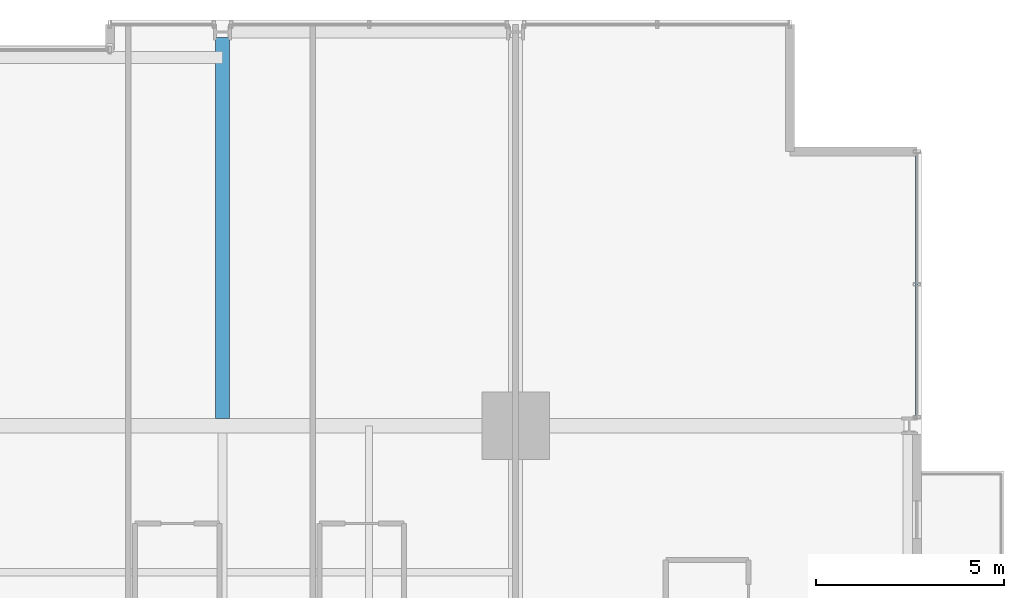
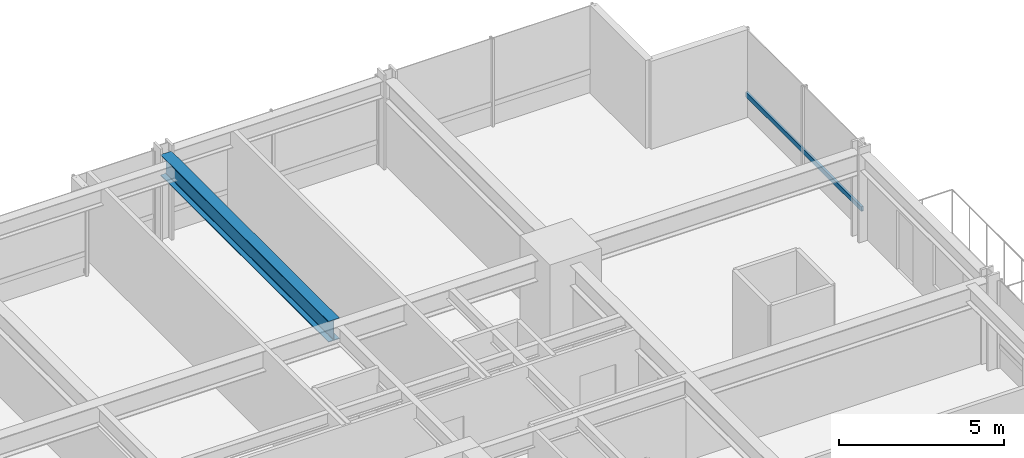
# One storey, part 26 of 38: 1 beam, 1 member, 1 element without a shape of its own.
"""IFC4 building model written with IfcOpenShell, lengths in metres."""

from ifc_helpers import new_model, si_unit, direction, frame, origin, origin_2d, place, context, subcontext, project, spatial, hollow_rectangle, i_section, extrude, material, layer, layer_set, material_profile, profile_set, type_object, element, aggregate, save


model = new_model("IFC4")

# Units and contexts
model_context = context("Model", 3, precision=1e-05, world=origin(), true_north=direction((0.0, 1.0)))
body_context = subcontext(model_context, "Body", "Model", "MODEL_VIEW")
ifc_project = project(units=[si_unit("LENGTHUNIT", "METRE"), si_unit("AREAUNIT", "SQUARE_METRE"), si_unit("VOLUMEUNIT", "CUBIC_METRE"), si_unit("PLANEANGLEUNIT", "RADIAN"), si_unit("MASSUNIT", "GRAM", prefix="KILO")], contexts=[model_context])

# Site, building, storey
site_placement = place(None, origin())
site = spatial("IfcSite", under=ifc_project, at=site_placement, CompositionType="ELEMENT")
building_placement = place(site_placement, origin())
building = spatial("IfcBuilding", under=site, at=building_placement, Name="Drelvath Grand Hotel", CompositionType="ELEMENT")
storey_placement = place(building_placement, frame((0.0, 0.0, 64.699951171875)))
storey = spatial("IfcBuildingStorey", under=building, at=storey_placement, Name="L15", CompositionType="ELEMENT", Elevation=64.699951171875)

# Curtain wall, member
ifc_material_1 = material(Name="Warm Bronze Anodised Aluminium Frame", Category="aluminium")
ifc_layer = layer(ifc_material_1, 0.199951171875)
ifc_layer_set = layer_set([ifc_layer], Name="Warm Bronze Anodised Aluminium Frame")
curtain_wall_type = type_object("IfcCurtainWallType", Name="Stick Curtain Wall CW-02 Warm Bronze Low-Rise", PredefinedType="NOTDEFINED", material=ifc_layer_set)
curtain_wall_placement = place(storey_placement, origin())
curtain_wall = element("IfcCurtainWall", 1, at=curtain_wall_placement, inside=storey, type_object=curtain_wall_type, Name="L15 CW-02 Curtain Wall CW02-L15-EN3", PredefinedType="NOTDEFINED")
ifc_material_profile_1 = material_profile(ifc_material_1, hollow_rectangle(XDim=0.074951171875, YDim=0.179931640625, WallThickness=0.0048828125, at=origin_2d()), Name="HSS180X75X5")
ifc_profile_set_1 = profile_set([ifc_material_profile_1], Name="Warm Bronze Anodised Aluminium Frame")
member_type = type_object("IfcMemberType", Name="Curtain Wall Horizontal Transom CW-02 HSS180X75X5", PredefinedType="USERDEFINED", material=ifc_profile_set_1)
member_placement = place(storey_placement, frame((26.8798828125, 50.4599609375, 0.81005859375), z_axis=(0.0, -1.0, 0.0), x_axis=(1.0, 0.0, 0.0)))
member = element("IfcMember", 2, at=member_placement, type_object=member_type, Name="CW02-L15-EN3 Sill Transom", ObjectType="TRANSOM", PredefinedType="USERDEFINED", context=body_context, shape_type="SweptSolid", body=[
    extrude(hollow_rectangle(XDim=0.074951171875, YDim=0.179931640625, WallThickness=0.0048828125, at=origin_2d()), origin(), (0.0, 0.0, 1.0), 6.990966796875),
])
aggregate(curtain_wall, [member])

# Beam
ifc_material_2 = material(Name="Steel ASTM A992 Gr 50", Category="steel")
ifc_material_profile_2 = material_profile(ifc_material_2, i_section(OverallWidth=0.380615234375, OverallDepth=0.773193359375, WebThickness=0.0166015625, FlangeThickness=0.027099609375, FilletRadius=0.02490234375, at=origin_2d()), Name="W30X173")
ifc_profile_set_2 = profile_set([ifc_material_profile_2], Name="Steel ASTM A992 Gr 50")
beam_type = type_object("IfcBeamType", Name="Primary Floor Girder W30X173", PredefinedType="BEAM", material=ifc_profile_set_2)
beam_placement = place(storey_placement, frame((8.39990234375, 43.390380859375, 2.853515625), z_axis=(0.0, 1.0, 0.0), x_axis=(-1.0, 0.0, 0.0)))
element("IfcBeam", 3, at=beam_placement, inside=storey, type_object=beam_type, Name="L15 North Wing Girder 6", PredefinedType="BEAM", context=body_context, shape_type="SweptSolid", body=[
    extrude(i_section(OverallWidth=0.380615234375, OverallDepth=0.773193359375, WebThickness=0.0166015625, FlangeThickness=0.027099609375, FilletRadius=0.02490234375, at=origin_2d()), origin(), (0.0, 0.0, 1.0), 10.149658203125),
])

save(model, "model.ifc")
